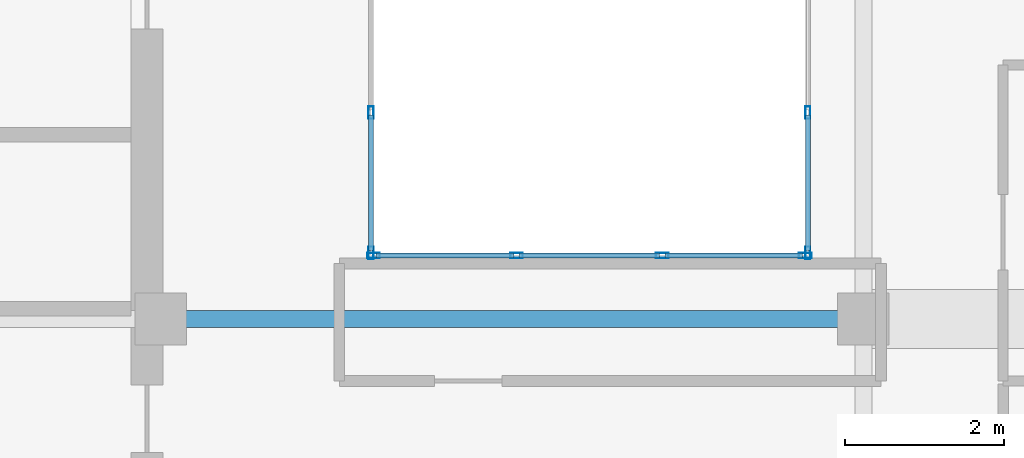
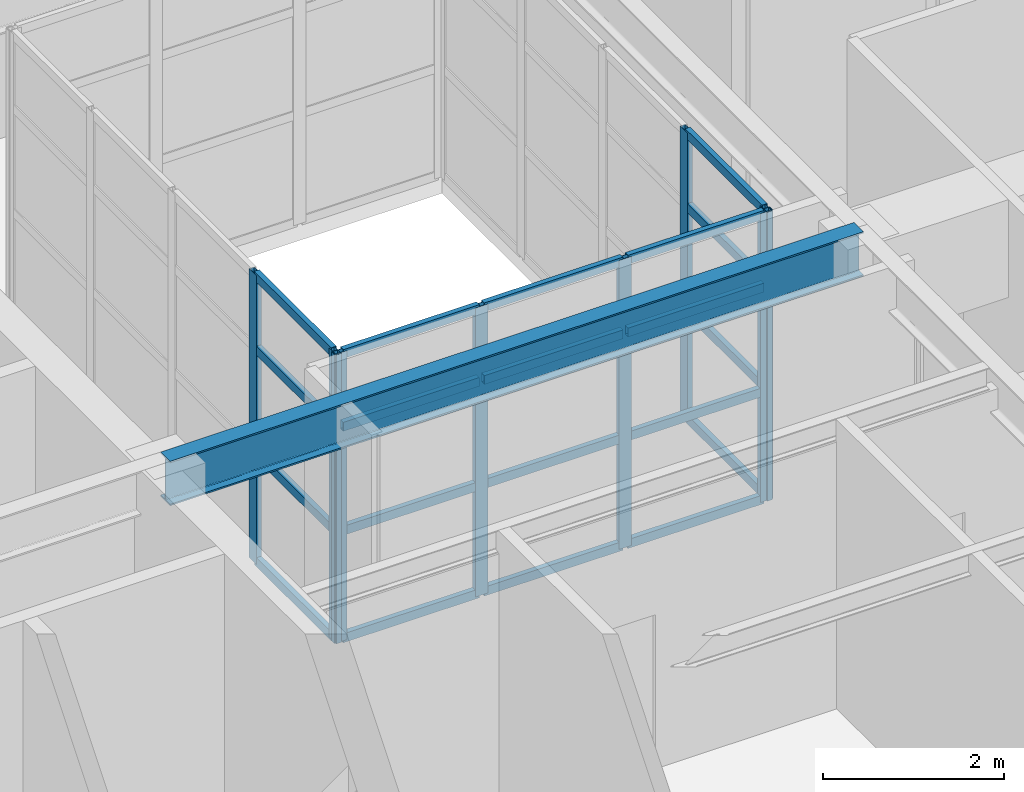
# One storey, part 2 of 11: 28 members, 1 beam, 3 elements without a shape of their own.
"""IFC4 building model written with IfcOpenShell, lengths in metres."""

import ifcopenshell
import ifcopenshell.guid

model = None  # the IFC model being written
_history = None  # IfcOwnerHistory: only IFC2X3 demands one
_inside = {}  # id of a spatial element -> (the spatial element, [elements in it])
_under = {}  # id of a project, library or spatial element -> (it, [spatial elements below it])
_declared = {}  # id of a project -> (the project, [libraries it declares])
_typed = {}  # id of a type object -> (the type object, [elements of that type])
_made_of = {}  # id of a material, layer set ... -> (it, [elements and type objects made of it])


def new_model(schema):
    """Start an empty IFC model of exactly this schema.

    Asked for "IFC4X3", IfcOpenShell would pick the latest addendum, in which some entities
    have other attributes; the version numbers below select the first issue.
    IFC2X3 requires an IfcOwnerHistory on every rooted entity: one is made here for all.
    """
    global model, _history
    if schema == "IFC4X3":
        model = ifcopenshell.file(schema_version=(4, 3, 0, 0))
    else:
        model = ifcopenshell.file(schema=schema)
    _inside.clear()
    _under.clear()
    _declared.clear()
    _typed.clear()
    _made_of.clear()
    _history = None
    if model.schema == "IFC2X3":
        org = make("IfcOrganization", Name="unknown")
        user = make(
            "IfcPersonAndOrganization",
            ThePerson=make("IfcPerson", FamilyName="unknown"),
            TheOrganization=org,
        )
        app = make(
            "IfcApplication",
            ApplicationDeveloper=org,
            Version="unknown",
            ApplicationFullName="unknown",
            ApplicationIdentifier="unknown",
        )
        _history = make(
            "IfcOwnerHistory",
            OwningUser=user,
            OwningApplication=app,
            ChangeAction="ADDED",
            CreationDate=0,
        )
    return model


def make(cls, **values):
    """One entity of the class cls with the attributes given. An attribute that is None is left unset."""
    return model.create_entity(
        cls, **{name: value for name, value in values.items() if value is not None}
    )


def rooted(cls, **values):
    """An entity with a GlobalId (a new one), such as an element, a storey or a relation."""
    return make(cls, GlobalId=ifcopenshell.guid.new(), OwnerHistory=_history, **values)


def si_unit(unit_type, name, prefix=None):
    """IfcSIUnit, for example si_unit("LENGTHUNIT", "METRE", prefix="MILLI")."""
    return make("IfcSIUnit", UnitType=unit_type, Prefix=prefix, Name=name)


def assignment(units):
    """IfcUnitAssignment: the units of a project."""
    return None if units is None else make("IfcUnitAssignment", Units=units)


def point(xyz):
    """IfcCartesianPoint."""
    return None if xyz is None else make("IfcCartesianPoint", Coordinates=xyz)


def direction(xyz):
    """IfcDirection."""
    return None if xyz is None else make("IfcDirection", DirectionRatios=xyz)


def frame(location, z_axis=None, x_axis=None):
    """IfcAxis2Placement3D, a coordinate frame: its origin and axes. An axis left out is left unset."""
    return make(
        "IfcAxis2Placement3D",
        Location=point(location),
        Axis=direction(z_axis),
        RefDirection=direction(x_axis),
    )


def frame_2d(location, x_axis=None):
    """IfcAxis2Placement2D, a coordinate frame in the plane: its origin and x axis."""
    return make(
        "IfcAxis2Placement2D", Location=point(location), RefDirection=direction(x_axis)
    )


def origin():
    """The frame at (0, 0, 0) with its axes left unset."""
    return frame((0.0, 0.0, 0.0))


def origin_2d():
    """The frame at (0, 0) in the plane with its x axis left unset."""
    return frame_2d((0.0, 0.0))


def place(relative_to, where):
    """IfcLocalPlacement: puts the frame where relative to a parent placement (None: the world)."""
    return make(
        "IfcLocalPlacement", PlacementRelTo=relative_to, RelativePlacement=where
    )


def context(
    kind, dimensions, precision=None, world=None, true_north=None, identifier=None
):
    """IfcGeometricRepresentationContext, for example the 3D "Model" context."""
    return make(
        "IfcGeometricRepresentationContext",
        ContextIdentifier=identifier,
        ContextType=kind,
        CoordinateSpaceDimension=dimensions,
        Precision=precision,
        WorldCoordinateSystem=world,
        TrueNorth=true_north,
    )


def subcontext(parent, identifier, kind, view, scale=None):
    """IfcGeometricRepresentationSubContext, for example "Body" below "Model"."""
    return make(
        "IfcGeometricRepresentationSubContext",
        ContextIdentifier=identifier,
        ContextType=kind,
        ParentContext=parent,
        TargetScale=scale,
        TargetView=view,
    )


def project(units=None, contexts=None):
    """IfcProject with its units and contexts."""
    return rooted(
        "IfcProject",
        Name="project",
        RepresentationContexts=contexts,
        UnitsInContext=assignment(units),
    )


def spatial(cls, under=None, at=None, **own):
    """A site, building, storey or space (cls), placed at a placement, below another one or the project."""
    s = rooted(cls, ObjectPlacement=at, **own)
    if under is not None:
        _under.setdefault(under.id(), (under, []))[1].append(s)
    return s


def profile(cls, at=None, kind="AREA", **sizes):
    """A parametric profile (cls). Its sizes go by their IFC names, for example OverallWidth=200.0."""
    return make(cls, ProfileType=kind, Position=at, **sizes)


def hollow_rectangle(**sizes):
    """IfcRectangleHollowProfileDef."""
    return profile("IfcRectangleHollowProfileDef", **sizes)


def i_section(**sizes):
    """IfcIShapeProfileDef."""
    return profile("IfcIShapeProfileDef", **sizes)


def extrude(swept, where, along, depth):
    """IfcExtrudedAreaSolid: the profile swept, set in the frame where, extruded along a direction by depth."""
    return make(
        "IfcExtrudedAreaSolid",
        SweptArea=swept,
        Position=where,
        ExtrudedDirection=direction(along),
        Depth=depth,
    )


def shape(context_of_items, identifier, shape_type, items):
    """IfcShapeRepresentation: the items that make up one representation, for example the "Body"."""
    return make(
        "IfcShapeRepresentation",
        ContextOfItems=context_of_items,
        RepresentationIdentifier=identifier,
        RepresentationType=shape_type,
        Items=items,
    )


def material(Name=None, Category=None):
    """IfcMaterial."""
    return make("IfcMaterial", Name=Name, Category=Category)


def layer(
    of_material, thickness, ventilated=None, Name=None, Category=None, Priority=None
):
    """IfcMaterialLayer: one layer of a wall or slab, of a material (None: an air gap)."""
    return make(
        "IfcMaterialLayer",
        Material=of_material,
        LayerThickness=thickness,
        IsVentilated=ventilated,
        Name=Name,
        Category=Category,
        Priority=Priority,
    )


def layer_set(layers, Name=None):
    """IfcMaterialLayerSet."""
    return make("IfcMaterialLayerSet", MaterialLayers=layers, LayerSetName=Name)


def material_profile(
    of_material, cross_section, Name=None, Category=None, Priority=None
):
    """IfcMaterialProfile: a cross section and its material."""
    return make(
        "IfcMaterialProfile",
        Name=Name,
        Material=of_material,
        Profile=cross_section,
        Priority=Priority,
        Category=Category,
    )


def profile_set(profiles, Name=None, composite=None):
    """IfcMaterialProfileSet."""
    return make(
        "IfcMaterialProfileSet",
        Name=Name,
        MaterialProfiles=profiles,
        CompositeProfile=composite,
    )


def made_of(thing, what):
    """Note that an element or type object is made of a material, layer set ...; save() writes the relation."""
    if what is not None:
        _made_of.setdefault(what.id(), (what, []))[1].append(thing)
    return thing


def type_object(cls, material=None, **own):
    """A type object (cls), such as IfcWallType, which elements share."""
    return made_of(rooted(cls, **own), material)


def element(
    cls,
    number,
    at=None,
    inside=None,
    cuts=None,
    type_object=None,
    material=None,
    context=None,
    identifier="Body",
    shape_type=None,
    held_by="IfcProductDefinitionShape",
    body=None,
    shapes=None,
    **own,
):
    """One element of the class cls, such as IfcWall. Its Tag is "e" and its number.

    at: its placement. inside: the storey or other place that contains it. cuts: it is an
    opening in that element (IfcRelVoidsElement). A single representation is given by context,
    identifier, shape_type and body (its items); several are given by shapes. held_by: the class
    of the entity that holds the representations. save() writes the other relations.
    """
    e = rooted(cls, Tag="e%d" % number, ObjectPlacement=at, **own)
    if body is not None:
        shapes = [shape(context, identifier, shape_type, body)]
    if shapes is not None:
        e.Representation = make(held_by, Representations=shapes)
    if inside is not None:
        _inside.setdefault(inside.id(), (inside, []))[1].append(e)
    if cuts is not None:
        rooted(
            "IfcRelVoidsElement", RelatingBuildingElement=cuts, RelatedOpeningElement=e
        )
    if type_object is not None:
        _typed.setdefault(type_object.id(), (type_object, []))[1].append(e)
    return made_of(e, material)


def aggregate(whole, parts):
    """IfcRelAggregates: a whole, such as a stair, and the parts it consists of."""
    return rooted("IfcRelAggregates", RelatingObject=whole, RelatedObjects=parts)


def save(model, path):
    """Write the relations noted so far, then the file.

    IfcRelAggregates (storeys below a building ...), IfcRelContainedInSpatialStructure (elements
    in a storey), IfcRelDefinesByType, IfcRelAssociatesMaterial and IfcRelDeclares: one each for
    every whole, place, type object, material and project.
    """
    for whole, parts in _under.values():
        aggregate(whole, parts)
    for where, things in _inside.values():
        rooted(
            "IfcRelContainedInSpatialStructure",
            RelatedElements=things,
            RelatingStructure=where,
        )
    for kind, things in _typed.values():
        rooted("IfcRelDefinesByType", RelatedObjects=things, RelatingType=kind)
    for what, things in _made_of.values():
        rooted("IfcRelAssociatesMaterial", RelatedObjects=things, RelatingMaterial=what)
    for by, libraries in _declared.values():
        rooted("IfcRelDeclares", RelatingContext=by, RelatedDefinitions=libraries)
    model.write(path)


model = new_model("IFC4")

# Units and contexts
model_context = context("Model", 3, precision=1e-05, world=origin(), true_north=direction((0.0, 1.0)))
body_context = subcontext(model_context, "Body", "Model", "MODEL_VIEW")
ifc_project = project(units=[si_unit("LENGTHUNIT", "METRE"), si_unit("AREAUNIT", "SQUARE_METRE"), si_unit("VOLUMEUNIT", "CUBIC_METRE"), si_unit("PLANEANGLEUNIT", "RADIAN"), si_unit("MASSUNIT", "GRAM", prefix="KILO")], contexts=[model_context])

# Site, building, storey
site_placement = place(None, origin())
site = spatial("IfcSite", under=ifc_project, at=site_placement, CompositionType="ELEMENT")
building_placement = place(site_placement, origin())
building = spatial("IfcBuilding", under=site, at=building_placement, Name="Kundavana Baori Tower", CompositionType="ELEMENT")
storey_placement = place(building_placement, frame((0.0, 0.0, 350.5)))
storey = spatial("IfcBuildingStorey", under=building, at=storey_placement, Name="L87", CompositionType="ELEMENT", Elevation=350.5)

# Beam
ifc_material_1 = material(Name="Structural Steel S355JR", Category="steel")
ifc_material_profile_1 = material_profile(ifc_material_1, i_section(OverallWidth=0.2099609375, OverallDepth=0.60009765625, WebThickness=0.011962890625, FlangeThickness=0.020751953125, FilletRadius=0.02001953125, at=origin_2d()), Name="ISMB 600")
ifc_profile_set_1 = profile_set([ifc_material_profile_1], Name="Structural Steel S355JR")
beam_type = type_object("IfcBeamType", Name="BM-ST-600", PredefinedType="BEAM", material=ifc_profile_set_1)
beam_placement = place(storey_placement, frame((24.949951171875, 24.199951171875, 3.60009765625), z_axis=(1.0, 0.0, 0.0), x_axis=(0.0, 1.0, 0.0)))
element("IfcBeam", 1, at=beam_placement, inside=storey, type_object=beam_type, Name="L87 Primary Grid Girder GX-2-2", PredefinedType="BEAM", context=body_context, shape_type="SweptSolid", body=[
    extrude(i_section(OverallWidth=0.2099609375, OverallDepth=0.60009765625, WebThickness=0.011962890625, FlangeThickness=0.020751953125, FilletRadius=0.02001953125, at=origin_2d()), origin(), (0.0, 0.0, 1.0), 8.85009765625),
])

# Curtain wall, members
ifc_material_2 = material(Name="Thermally Broken Anodised Aluminium Framing", Category="aluminium")
ifc_layer = layer(ifc_material_2, 0.235107421875, Name="CW-SYS-6")
ifc_layer_set = layer_set([ifc_layer], Name="Thermally Broken Anodised Aluminium Framing")
curtain_wall_type = type_object("IfcCurtainWallType", Name="CW-SYS-6", PredefinedType="NOTDEFINED", material=ifc_layer_set)
curtain_wall_1_placement = place(storey_placement, origin())
curtain_wall_1 = element("IfcCurtainWall", 2, at=curtain_wall_1_placement, inside=storey, type_object=curtain_wall_type, Name="L87 Atrium Glazed Curtain Wall S", PredefinedType="NOTDEFINED")
ifc_material_3 = material(Name="Thermally Broken Anodised Aluminium Framing", Category="aluminium")
ifc_material_profile_2 = material_profile(ifc_material_3, hollow_rectangle(XDim=0.06494140625, YDim=0.159912109375, WallThickness=0.00390625, at=origin_2d()), Name="CW-MULL-160")
ifc_profile_set_2 = profile_set([ifc_material_profile_2], Name="Thermally Broken Anodised Aluminium Framing")
member_type_1 = type_object("IfcMemberType", Name="CW-MULL-160", PredefinedType="MULLION", material=ifc_profile_set_2)
member_1_placement = place(storey_placement, frame((27.632568359375, 25.0, 0.0), z_axis=(0.0, 0.0, 1.0), x_axis=(0.0, 1.0, 0.0)))
member_1 = element("IfcMember", 3, at=member_1_placement, type_object=member_type_1, Name="CW6 mullion 1", PredefinedType="MULLION", context=body_context, shape_type="SweptSolid", body=[
    extrude(hollow_rectangle(XDim=0.06494140625, YDim=0.159912109375, WallThickness=0.00390625, at=origin_2d()), origin(), (0.0, 0.0, 1.0), 3.89990234375),
])
member_2_placement = place(storey_placement, frame((29.433349609375, 25.0, 0.0), z_axis=(0.0, 0.0, 1.0), x_axis=(0.0, 1.0, 0.0)))
member_2 = element("IfcMember", 4, at=member_2_placement, type_object=member_type_1, Name="CW6 mullion 2", PredefinedType="MULLION", context=body_context, shape_type="SweptSolid", body=[
    extrude(hollow_rectangle(XDim=0.06494140625, YDim=0.159912109375, WallThickness=0.00390625, at=origin_2d()), origin(), (0.0, 0.0, 1.0), 3.89990234375),
])
member_3_placement = place(storey_placement, frame((31.2666015625, 25.0, 0.0), z_axis=(0.0, 0.0, 1.0), x_axis=(0.0, 1.0, 0.0)))
member_3 = element("IfcMember", 5, at=member_3_placement, type_object=member_type_1, Name="CW6 mullion 3", PredefinedType="MULLION", context=body_context, shape_type="SweptSolid", body=[
    extrude(hollow_rectangle(XDim=0.06494140625, YDim=0.159912109375, WallThickness=0.00390625, at=origin_2d()), origin(), (0.0, 0.0, 1.0), 3.89990234375),
])
member_4_placement = place(storey_placement, frame((33.0673828125, 25.0, 0.0), z_axis=(0.0, 0.0, 1.0), x_axis=(0.0, 1.0, 0.0)))
member_4 = element("IfcMember", 6, at=member_4_placement, type_object=member_type_1, Name="CW6 mullion 4", PredefinedType="MULLION", context=body_context, shape_type="SweptSolid", body=[
    extrude(hollow_rectangle(XDim=0.06494140625, YDim=0.159912109375, WallThickness=0.00390625, at=origin_2d()), origin(), (0.0, 0.0, 1.0), 3.89990234375),
])

curtain_wall_2_placement = place(storey_placement, origin())
curtain_wall_2 = element("IfcCurtainWall", 7, at=curtain_wall_2_placement, inside=storey, type_object=curtain_wall_type, Name="L87 Atrium Glazed Curtain Wall E", PredefinedType="NOTDEFINED")
member_5_placement = place(storey_placement, frame((33.10009765625, 25.032470703125, 0.0), z_axis=(0.0, 0.0, 1.0), x_axis=(-1.0, 0.0, 0.0)))
member_5 = element("IfcMember", 8, at=member_5_placement, type_object=member_type_1, Name="CW6 mullion 1", PredefinedType="MULLION", context=body_context, shape_type="SweptSolid", body=[
    extrude(hollow_rectangle(XDim=0.06494140625, YDim=0.159912109375, WallThickness=0.00390625, at=origin_2d()), origin(), (0.0, 0.0, 1.0), 3.89990234375),
])
member_6_placement = place(storey_placement, frame((33.10009765625, 26.800048828125, 0.0), z_axis=(0.0, 0.0, 1.0), x_axis=(-1.0, 0.0, 0.0)))
member_6 = element("IfcMember", 9, at=member_6_placement, type_object=member_type_1, Name="CW6 mullion 2", PredefinedType="MULLION", context=body_context, shape_type="SweptSolid", body=[
    extrude(hollow_rectangle(XDim=0.06494140625, YDim=0.159912109375, WallThickness=0.00390625, at=origin_2d()), origin(), (0.0, 0.0, 1.0), 3.89990234375),
])

curtain_wall_3_placement = place(storey_placement, origin())
curtain_wall_3 = element("IfcCurtainWall", 10, at=curtain_wall_3_placement, inside=storey, type_object=curtain_wall_type, Name="L87 Atrium Glazed Curtain Wall W", PredefinedType="NOTDEFINED")
member_7_placement = place(storey_placement, frame((27.60009765625, 26.800048828125, 0.0), z_axis=(0.0, 0.0, 1.0), x_axis=(1.0, 0.0, 0.0)))
member_7 = element("IfcMember", 11, at=member_7_placement, type_object=member_type_1, Name="CW6 mullion 4", PredefinedType="MULLION", context=body_context, shape_type="SweptSolid", body=[
    extrude(hollow_rectangle(XDim=0.06494140625, YDim=0.159912109375, WallThickness=0.00390625, at=origin_2d()), origin(), (0.0, 0.0, 1.0), 3.89990234375),
])
member_8_placement = place(storey_placement, frame((27.60009765625, 25.032470703125, 0.0), z_axis=(0.0, 0.0, 1.0), x_axis=(1.0, 0.0, 0.0)))
member_8 = element("IfcMember", 12, at=member_8_placement, type_object=member_type_1, Name="CW6 mullion 5", PredefinedType="MULLION", context=body_context, shape_type="SweptSolid", body=[
    extrude(hollow_rectangle(XDim=0.06494140625, YDim=0.159912109375, WallThickness=0.00390625, at=origin_2d()), origin(), (0.0, 0.0, 1.0), 3.89990234375),
])

# Member
ifc_material_4 = material(Name="Thermally Broken Anodised Aluminium Framing", Category="aluminium")
ifc_material_profile_3 = material_profile(ifc_material_4, hollow_rectangle(XDim=0.06494140625, YDim=0.1201171875, WallThickness=0.00390625, at=origin_2d()), Name="CW-TRAN-120")
ifc_profile_set_3 = profile_set([ifc_material_profile_3], Name="Thermally Broken Anodised Aluminium Framing")
member_type_2 = type_object("IfcMemberType", Name="CW-TRAN-120", PredefinedType="USERDEFINED", material=ifc_profile_set_3)
member_9_placement = place(storey_placement, frame((27.6650390625, 25.0, 0.032470703125), z_axis=(1.0, 0.0, 0.0), x_axis=(0.0, 1.0, 0.0)))
member_9 = element("IfcMember", 13, at=member_9_placement, type_object=member_type_2, Name="CW6 transom 1.1", ObjectType="TRANSOM", PredefinedType="USERDEFINED", context=body_context, shape_type="SweptSolid", body=[
    extrude(hollow_rectangle(XDim=0.06494140625, YDim=0.1201171875, WallThickness=0.00390625, at=origin_2d()), origin(), (0.0, 0.0, 1.0), 1.73583984375),
])

member_10_placement = place(storey_placement, frame((27.6650390625, 25.0, 1.48193359375), z_axis=(1.0, 0.0, 0.0), x_axis=(0.0, 1.0, 0.0)))
member_10 = element("IfcMember", 14, at=member_10_placement, type_object=member_type_2, Name="CW6 transom 1.2", ObjectType="TRANSOM", PredefinedType="USERDEFINED", context=body_context, shape_type="SweptSolid", body=[
    extrude(hollow_rectangle(XDim=0.06494140625, YDim=0.1201171875, WallThickness=0.00390625, at=origin_2d()), origin(), (0.0, 0.0, 1.0), 1.73583984375),
])

member_11_placement = place(storey_placement, frame((27.6650390625, 25.0, 2.885986328125), z_axis=(1.0, 0.0, 0.0), x_axis=(0.0, 1.0, 0.0)))
member_11 = element("IfcMember", 15, at=member_11_placement, type_object=member_type_2, Name="CW6 transom 1.3", ObjectType="TRANSOM", PredefinedType="USERDEFINED", context=body_context, shape_type="SweptSolid", body=[
    extrude(hollow_rectangle(XDim=0.06494140625, YDim=0.1201171875, WallThickness=0.00390625, at=origin_2d()), origin(), (0.0, 0.0, 1.0), 1.73583984375),
])

member_12_placement = place(storey_placement, frame((27.6650390625, 25.0, 3.867431640625), z_axis=(1.0, 0.0, 0.0), x_axis=(0.0, 1.0, 0.0)))
member_12 = element("IfcMember", 16, at=member_12_placement, type_object=member_type_2, Name="CW6 transom 1.4", ObjectType="TRANSOM", PredefinedType="USERDEFINED", context=body_context, shape_type="SweptSolid", body=[
    extrude(hollow_rectangle(XDim=0.06494140625, YDim=0.1201171875, WallThickness=0.00390625, at=origin_2d()), origin(), (0.0, 0.0, 1.0), 1.73583984375),
])

member_13_placement = place(storey_placement, frame((29.4658203125, 25.0, 0.032470703125), z_axis=(1.0, 0.0, 0.0), x_axis=(0.0, 1.0, 0.0)))
member_13 = element("IfcMember", 17, at=member_13_placement, type_object=member_type_2, Name="CW6 transom 2.1", ObjectType="TRANSOM", PredefinedType="USERDEFINED", context=body_context, shape_type="SweptSolid", body=[
    extrude(hollow_rectangle(XDim=0.06494140625, YDim=0.1201171875, WallThickness=0.00390625, at=origin_2d()), origin(), (0.0, 0.0, 1.0), 1.768310546875),
])

member_14_placement = place(storey_placement, frame((29.4658203125, 25.0, 1.48193359375), z_axis=(1.0, 0.0, 0.0), x_axis=(0.0, 1.0, 0.0)))
member_14 = element("IfcMember", 18, at=member_14_placement, type_object=member_type_2, Name="CW6 transom 2.2", ObjectType="TRANSOM", PredefinedType="USERDEFINED", context=body_context, shape_type="SweptSolid", body=[
    extrude(hollow_rectangle(XDim=0.06494140625, YDim=0.1201171875, WallThickness=0.00390625, at=origin_2d()), origin(), (0.0, 0.0, 1.0), 1.768310546875),
])

member_15_placement = place(storey_placement, frame((29.4658203125, 25.0, 2.885986328125), z_axis=(1.0, 0.0, 0.0), x_axis=(0.0, 1.0, 0.0)))
member_15 = element("IfcMember", 19, at=member_15_placement, type_object=member_type_2, Name="CW6 transom 2.3", ObjectType="TRANSOM", PredefinedType="USERDEFINED", context=body_context, shape_type="SweptSolid", body=[
    extrude(hollow_rectangle(XDim=0.06494140625, YDim=0.1201171875, WallThickness=0.00390625, at=origin_2d()), origin(), (0.0, 0.0, 1.0), 1.768310546875),
])

member_16_placement = place(storey_placement, frame((29.4658203125, 25.0, 3.867431640625), z_axis=(1.0, 0.0, 0.0), x_axis=(0.0, 1.0, 0.0)))
member_16 = element("IfcMember", 20, at=member_16_placement, type_object=member_type_2, Name="CW6 transom 2.4", ObjectType="TRANSOM", PredefinedType="USERDEFINED", context=body_context, shape_type="SweptSolid", body=[
    extrude(hollow_rectangle(XDim=0.06494140625, YDim=0.1201171875, WallThickness=0.00390625, at=origin_2d()), origin(), (0.0, 0.0, 1.0), 1.768310546875),
])

member_17_placement = place(storey_placement, frame((31.299072265625, 25.0, 0.032470703125), z_axis=(1.0, 0.0, 0.0), x_axis=(0.0, 1.0, 0.0)))
member_17 = element("IfcMember", 21, at=member_17_placement, type_object=member_type_2, Name="CW6 transom 3.1", ObjectType="TRANSOM", PredefinedType="USERDEFINED", context=body_context, shape_type="SweptSolid", body=[
    extrude(hollow_rectangle(XDim=0.06494140625, YDim=0.1201171875, WallThickness=0.00390625, at=origin_2d()), origin(), (0.0, 0.0, 1.0), 1.73583984375),
])

member_18_placement = place(storey_placement, frame((31.299072265625, 25.0, 1.48193359375), z_axis=(1.0, 0.0, 0.0), x_axis=(0.0, 1.0, 0.0)))
member_18 = element("IfcMember", 22, at=member_18_placement, type_object=member_type_2, Name="CW6 transom 3.2", ObjectType="TRANSOM", PredefinedType="USERDEFINED", context=body_context, shape_type="SweptSolid", body=[
    extrude(hollow_rectangle(XDim=0.06494140625, YDim=0.1201171875, WallThickness=0.00390625, at=origin_2d()), origin(), (0.0, 0.0, 1.0), 1.73583984375),
])

member_19_placement = place(storey_placement, frame((31.299072265625, 25.0, 2.885986328125), z_axis=(1.0, 0.0, 0.0), x_axis=(0.0, 1.0, 0.0)))
member_19 = element("IfcMember", 23, at=member_19_placement, type_object=member_type_2, Name="CW6 transom 3.3", ObjectType="TRANSOM", PredefinedType="USERDEFINED", context=body_context, shape_type="SweptSolid", body=[
    extrude(hollow_rectangle(XDim=0.06494140625, YDim=0.1201171875, WallThickness=0.00390625, at=origin_2d()), origin(), (0.0, 0.0, 1.0), 1.73583984375),
])

member_20_placement = place(storey_placement, frame((31.299072265625, 25.0, 3.867431640625), z_axis=(1.0, 0.0, 0.0), x_axis=(0.0, 1.0, 0.0)))
member_20 = element("IfcMember", 24, at=member_20_placement, type_object=member_type_2, Name="CW6 transom 3.4", ObjectType="TRANSOM", PredefinedType="USERDEFINED", context=body_context, shape_type="SweptSolid", body=[
    extrude(hollow_rectangle(XDim=0.06494140625, YDim=0.1201171875, WallThickness=0.00390625, at=origin_2d()), origin(), (0.0, 0.0, 1.0), 1.73583984375),
])

aggregate(curtain_wall_1, [member_1, member_2, member_3, member_4, member_9, member_10, member_11, member_12, member_13, member_14, member_15, member_16, member_17, member_18, member_19, member_20])

member_21_placement = place(storey_placement, frame((33.10009765625, 25.06494140625, 0.032470703125), z_axis=(0.0, 1.0, 0.0), x_axis=(-1.0, 0.0, 0.0)))
member_21 = element("IfcMember", 25, at=member_21_placement, type_object=member_type_2, Name="CW6 transom 1.1", ObjectType="TRANSOM", PredefinedType="USERDEFINED", context=body_context, shape_type="SweptSolid", body=[
    extrude(hollow_rectangle(XDim=0.06494140625, YDim=0.1201171875, WallThickness=0.00390625, at=origin_2d()), origin(), (0.0, 0.0, 1.0), 1.70263671875),
])

member_22_placement = place(storey_placement, frame((33.10009765625, 25.06494140625, 1.48193359375), z_axis=(0.0, 1.0, 0.0), x_axis=(-1.0, 0.0, 0.0)))
member_22 = element("IfcMember", 26, at=member_22_placement, type_object=member_type_2, Name="CW6 transom 1.2", ObjectType="TRANSOM", PredefinedType="USERDEFINED", context=body_context, shape_type="SweptSolid", body=[
    extrude(hollow_rectangle(XDim=0.06494140625, YDim=0.1201171875, WallThickness=0.00390625, at=origin_2d()), origin(), (0.0, 0.0, 1.0), 1.70263671875),
])

member_23_placement = place(storey_placement, frame((33.10009765625, 25.06494140625, 2.885986328125), z_axis=(0.0, 1.0, 0.0), x_axis=(-1.0, 0.0, 0.0)))
member_23 = element("IfcMember", 27, at=member_23_placement, type_object=member_type_2, Name="CW6 transom 1.3", ObjectType="TRANSOM", PredefinedType="USERDEFINED", context=body_context, shape_type="SweptSolid", body=[
    extrude(hollow_rectangle(XDim=0.06494140625, YDim=0.1201171875, WallThickness=0.00390625, at=origin_2d()), origin(), (0.0, 0.0, 1.0), 1.70263671875),
])

member_24_placement = place(storey_placement, frame((33.10009765625, 25.06494140625, 3.867431640625), z_axis=(0.0, 1.0, 0.0), x_axis=(-1.0, 0.0, 0.0)))
member_24 = element("IfcMember", 28, at=member_24_placement, type_object=member_type_2, Name="CW6 transom 1.4", ObjectType="TRANSOM", PredefinedType="USERDEFINED", context=body_context, shape_type="SweptSolid", body=[
    extrude(hollow_rectangle(XDim=0.06494140625, YDim=0.1201171875, WallThickness=0.00390625, at=origin_2d()), origin(), (0.0, 0.0, 1.0), 1.70263671875),
])

aggregate(curtain_wall_2, [member_5, member_6, member_21, member_22, member_23, member_24])

member_25_placement = place(storey_placement, frame((27.60009765625, 26.767578125, 0.032470703125), z_axis=(0.0, -1.0, 0.0), x_axis=(1.0, 0.0, 0.0)))
member_25 = element("IfcMember", 29, at=member_25_placement, type_object=member_type_2, Name="CW6 transom 4.1", ObjectType="TRANSOM", PredefinedType="USERDEFINED", context=body_context, shape_type="SweptSolid", body=[
    extrude(hollow_rectangle(XDim=0.06494140625, YDim=0.1201171875, WallThickness=0.00390625, at=origin_2d()), origin(), (0.0, 0.0, 1.0), 1.70263671875),
])

member_26_placement = place(storey_placement, frame((27.60009765625, 26.767578125, 1.48193359375), z_axis=(0.0, -1.0, 0.0), x_axis=(1.0, 0.0, 0.0)))
member_26 = element("IfcMember", 30, at=member_26_placement, type_object=member_type_2, Name="CW6 transom 4.2", ObjectType="TRANSOM", PredefinedType="USERDEFINED", context=body_context, shape_type="SweptSolid", body=[
    extrude(hollow_rectangle(XDim=0.06494140625, YDim=0.1201171875, WallThickness=0.00390625, at=origin_2d()), origin(), (0.0, 0.0, 1.0), 1.70263671875),
])

member_27_placement = place(storey_placement, frame((27.60009765625, 26.767578125, 2.885986328125), z_axis=(0.0, -1.0, 0.0), x_axis=(1.0, 0.0, 0.0)))
member_27 = element("IfcMember", 31, at=member_27_placement, type_object=member_type_2, Name="CW6 transom 4.3", ObjectType="TRANSOM", PredefinedType="USERDEFINED", context=body_context, shape_type="SweptSolid", body=[
    extrude(hollow_rectangle(XDim=0.06494140625, YDim=0.1201171875, WallThickness=0.00390625, at=origin_2d()), origin(), (0.0, 0.0, 1.0), 1.70263671875),
])

member_28_placement = place(storey_placement, frame((27.60009765625, 26.767578125, 3.867431640625), z_axis=(0.0, -1.0, 0.0), x_axis=(1.0, 0.0, 0.0)))
member_28 = element("IfcMember", 32, at=member_28_placement, type_object=member_type_2, Name="CW6 transom 4.4", ObjectType="TRANSOM", PredefinedType="USERDEFINED", context=body_context, shape_type="SweptSolid", body=[
    extrude(hollow_rectangle(XDim=0.06494140625, YDim=0.1201171875, WallThickness=0.00390625, at=origin_2d()), origin(), (0.0, 0.0, 1.0), 1.70263671875),
])

aggregate(curtain_wall_3, [member_7, member_8, member_25, member_26, member_27, member_28])

save(model, "model.ifc")
